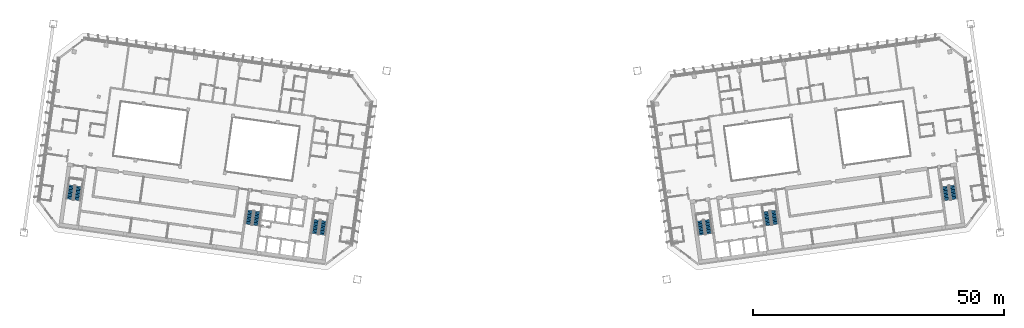
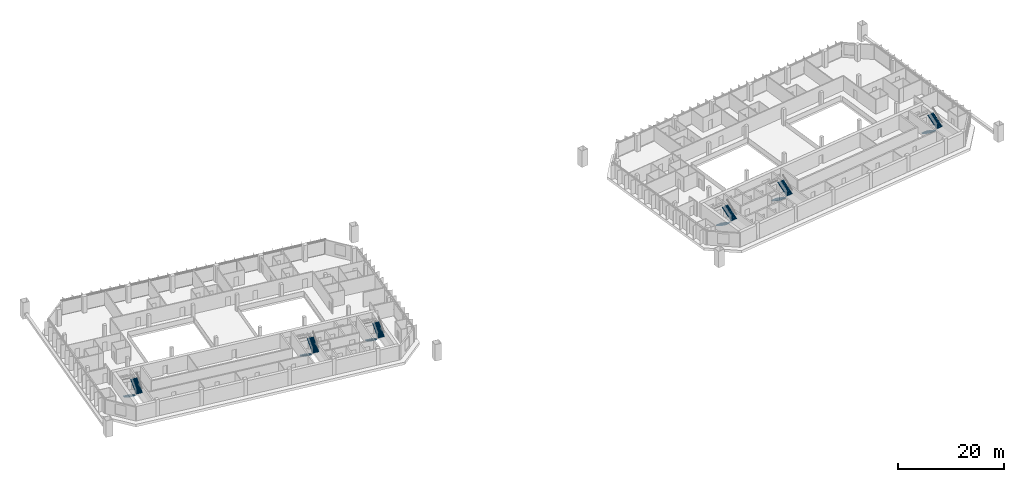
# One storey, part 25 of 31: 12 stair flights, 6 elements without a shape of their own.
"""IFC4 building model written with IfcOpenShell, lengths in metres."""

from ifc_helpers import new_model, si_unit, direction, frame, origin, place, context, subcontext, project, spatial, polyline, outline, extrude, material, type_object, element, aggregate, save


model = new_model("IFC4")

# Units and contexts
model_context = context("Model", 3, precision=1e-05, world=origin(), true_north=direction((0.0, 1.0)))
body_context = subcontext(model_context, "Body", "Model", "MODEL_VIEW")
ifc_project = project(units=[si_unit("LENGTHUNIT", "METRE"), si_unit("AREAUNIT", "SQUARE_METRE"), si_unit("VOLUMEUNIT", "CUBIC_METRE"), si_unit("PLANEANGLEUNIT", "RADIAN"), si_unit("MASSUNIT", "GRAM", prefix="KILO")], contexts=[model_context])

# Site, building, storey
site_placement = place(None, origin())
site = spatial("IfcSite", under=ifc_project, at=site_placement, CompositionType="ELEMENT")
building_placement = place(site_placement, origin())
building = spatial("IfcBuilding", under=site, at=building_placement, Name="Mirante Cascada Hotel Towers", CompositionType="ELEMENT")
storey_placement = place(building_placement, frame((0.0, 0.0, 157.4)))
storey = spatial("IfcBuildingStorey", under=building, at=storey_placement, Name="L36", CompositionType="ELEMENT", Elevation=157.4)

# Stair, stair flights
ifc_material_1 = material(Name="Concrete C35/45", Category="concrete")
stair_type = type_object("IfcStairType", Name="Exit stair half-turn 1350 concrete C35/45", PredefinedType="HALF_TURN_STAIR", material=ifc_material_1)
stair_1_placement = place(storey_placement, origin())
stair_1 = element("IfcStair", 1, at=stair_1_placement, inside=storey, type_object=stair_type, Name="L36 Exit stair A", PredefinedType="HALF_TURN_STAIR")
ifc_material_2 = material(Name="Concrete C35/45", Category="concrete")
stair_flight_type = type_object("IfcStairFlightType", Name="Exit stair flight 1350 concrete C35/45", PredefinedType="STRAIGHT", material=ifc_material_2)
stair_flight_1_placement = place(storey_placement, frame((-38.9417, -11.195, 0.0), z_axis=(0.0, 0.0, 1.0), x_axis=(-0.1391731, -0.9902681, 0.0)))
stair_flight_1 = element("IfcStairFlight", 2, at=stair_flight_1_placement, type_object=stair_flight_type, Name="ST1-A flight 1", NumberOfRisers=11, NumberOfTreads=10, PredefinedType="STRAIGHT", RiserHeight=0.172727273, TreadLength=0.28, context=body_context, shape_type="SweptSolid", body=[
    extrude(outline(polyline([(0.0, 0.0), (0.0, 0.1727), (0.28, 0.1727), (0.28, 0.3455), (0.56, 0.3455), (0.56, 0.5182), (0.84, 0.5182), (0.84, 0.6909), (1.12, 0.6909), (1.12, 0.8636), (1.4, 0.8636), (1.4, 1.0364), (1.68, 1.0364), (1.68, 1.2091), (1.96, 1.2091), (1.96, 1.3818), (2.24, 1.3818), (2.24, 1.5545), (2.52, 1.5545), (2.52, 1.7273), (2.8, 1.7273), (2.8, 1.9), (2.8, 1.551), (0.2857, 0.0), (0.0, 0.0)])), frame((0.0, 0.675, 0.0), z_axis=(0.0, -1.0, 0.0), x_axis=(1.0, 0.0, 0.0)), (0.0, 0.0, 1.0), 1.35),
])
stair_flight_2_placement = place(storey_placement, frame((-37.846, -14.1765, 1.9), z_axis=(0.0, 0.0, 1.0), x_axis=(0.1391731, 0.9902681, 0.0)))
stair_flight_2 = element("IfcStairFlight", 3, at=stair_flight_2_placement, type_object=stair_flight_type, Name="ST1-A flight 2", NumberOfRisers=11, NumberOfTreads=10, PredefinedType="STRAIGHT", RiserHeight=0.172727273, TreadLength=0.28, context=body_context, shape_type="SweptSolid", body=[
    extrude(outline(polyline([(0.0, 0.0), (0.0, 0.1727), (0.28, 0.1727), (0.28, 0.3455), (0.56, 0.3455), (0.56, 0.5182), (0.84, 0.5182), (0.84, 0.6909), (1.12, 0.6909), (1.12, 0.8636), (1.4, 0.8636), (1.4, 1.0364), (1.68, 1.0364), (1.68, 1.2091), (1.96, 1.2091), (1.96, 1.3818), (2.24, 1.3818), (2.24, 1.5545), (2.52, 1.5545), (2.52, 1.7273), (2.8, 1.7273), (2.8, 1.9), (2.8, 1.551), (0.2857, 0.0), (0.0, 0.0)])), frame((0.0, 0.675, 0.0), z_axis=(0.0, -1.0, 0.0), x_axis=(1.0, 0.0, 0.0)), (0.0, 0.0, 1.0), 1.35),
])
aggregate(stair_1, [stair_flight_1, stair_flight_2])

stair_2_placement = place(storey_placement, origin())
stair_2 = element("IfcStair", 4, at=stair_2_placement, inside=storey, type_object=stair_type, Name="L36 Exit stair B", PredefinedType="HALF_TURN_STAIR")
stair_flight_3_placement = place(storey_placement, frame((-52.1618, -9.3371, 0.0), z_axis=(0.0, 0.0, 1.0), x_axis=(-0.1391731, -0.9902681, 0.0)))
stair_flight_3 = element("IfcStairFlight", 5, at=stair_flight_3_placement, type_object=stair_flight_type, Name="ST1-B flight 1", NumberOfRisers=11, NumberOfTreads=10, PredefinedType="STRAIGHT", RiserHeight=0.172727273, TreadLength=0.28, context=body_context, shape_type="SweptSolid", body=[
    extrude(outline(polyline([(0.0, 0.0), (0.0, 0.1727), (0.28, 0.1727), (0.28, 0.3455), (0.56, 0.3455), (0.56, 0.5182), (0.84, 0.5182), (0.84, 0.6909), (1.12, 0.6909), (1.12, 0.8636), (1.4, 0.8636), (1.4, 1.0364), (1.68, 1.0364), (1.68, 1.2091), (1.96, 1.2091), (1.96, 1.3818), (2.24, 1.3818), (2.24, 1.5545), (2.52, 1.5545), (2.52, 1.7273), (2.8, 1.7273), (2.8, 1.9), (2.8, 1.551), (0.2857, 0.0), (0.0, 0.0)])), frame((0.0, 0.675, 0.0), z_axis=(0.0, -1.0, 0.0), x_axis=(1.0, 0.0, 0.0)), (0.0, 0.0, 1.0), 1.35),
])
stair_flight_4_placement = place(storey_placement, frame((-51.0661, -12.3186, 1.9), z_axis=(0.0, 0.0, 1.0), x_axis=(0.1391731, 0.9902681, 0.0)))
stair_flight_4 = element("IfcStairFlight", 6, at=stair_flight_4_placement, type_object=stair_flight_type, Name="ST1-B flight 2", NumberOfRisers=11, NumberOfTreads=10, PredefinedType="STRAIGHT", RiserHeight=0.172727273, TreadLength=0.28, context=body_context, shape_type="SweptSolid", body=[
    extrude(outline(polyline([(0.0, 0.0), (0.0, 0.1727), (0.28, 0.1727), (0.28, 0.3455), (0.56, 0.3455), (0.56, 0.5182), (0.84, 0.5182), (0.84, 0.6909), (1.12, 0.6909), (1.12, 0.8636), (1.4, 0.8636), (1.4, 1.0364), (1.68, 1.0364), (1.68, 1.2091), (1.96, 1.2091), (1.96, 1.3818), (2.24, 1.3818), (2.24, 1.5545), (2.52, 1.5545), (2.52, 1.7273), (2.8, 1.7273), (2.8, 1.9), (2.8, 1.551), (0.2857, 0.0), (0.0, 0.0)])), frame((0.0, 0.675, 0.0), z_axis=(0.0, -1.0, 0.0), x_axis=(1.0, 0.0, 0.0)), (0.0, 0.0, 1.0), 1.35),
])
aggregate(stair_2, [stair_flight_3, stair_flight_4])

stair_3_placement = place(storey_placement, origin())
stair_3 = element("IfcStair", 7, at=stair_3_placement, inside=storey, type_object=stair_type, Name="L36 Exit stair C", PredefinedType="HALF_TURN_STAIR")
stair_flight_5_placement = place(storey_placement, frame((-87.8115, -4.3268, 0.0), z_axis=(0.0, 0.0, 1.0), x_axis=(-0.1391731, -0.9902681, 0.0)))
stair_flight_5 = element("IfcStairFlight", 8, at=stair_flight_5_placement, type_object=stair_flight_type, Name="ST1-C flight 1", NumberOfRisers=11, NumberOfTreads=10, PredefinedType="STRAIGHT", RiserHeight=0.172727273, TreadLength=0.28, context=body_context, shape_type="SweptSolid", body=[
    extrude(outline(polyline([(0.0, 0.0), (0.0, 0.1727), (0.28, 0.1727), (0.28, 0.3455), (0.56, 0.3455), (0.56, 0.5182), (0.84, 0.5182), (0.84, 0.6909), (1.12, 0.6909), (1.12, 0.8636), (1.4, 0.8636), (1.4, 1.0364), (1.68, 1.0364), (1.68, 1.2091), (1.96, 1.2091), (1.96, 1.3818), (2.24, 1.3818), (2.24, 1.5545), (2.52, 1.5545), (2.52, 1.7273), (2.8, 1.7273), (2.8, 1.9), (2.8, 1.551), (0.2857, 0.0), (0.0, 0.0)])), frame((0.0, 0.675, 0.0), z_axis=(0.0, -1.0, 0.0), x_axis=(1.0, 0.0, 0.0)), (0.0, 0.0, 1.0), 1.35),
])
stair_flight_6_placement = place(storey_placement, frame((-86.7157, -7.3084, 1.9), z_axis=(0.0, 0.0, 1.0), x_axis=(0.1391731, 0.9902681, 0.0)))
stair_flight_6 = element("IfcStairFlight", 9, at=stair_flight_6_placement, type_object=stair_flight_type, Name="ST1-C flight 2", NumberOfRisers=11, NumberOfTreads=10, PredefinedType="STRAIGHT", RiserHeight=0.172727273, TreadLength=0.28, context=body_context, shape_type="SweptSolid", body=[
    extrude(outline(polyline([(0.0, 0.0), (0.0, 0.1727), (0.28, 0.1727), (0.28, 0.3455), (0.56, 0.3455), (0.56, 0.5182), (0.84, 0.5182), (0.84, 0.6909), (1.12, 0.6909), (1.12, 0.8636), (1.4, 0.8636), (1.4, 1.0364), (1.68, 1.0364), (1.68, 1.2091), (1.96, 1.2091), (1.96, 1.3818), (2.24, 1.3818), (2.24, 1.5545), (2.52, 1.5545), (2.52, 1.7273), (2.8, 1.7273), (2.8, 1.9), (2.8, 1.551), (0.2857, 0.0), (0.0, 0.0)])), frame((0.0, 0.675, 0.0), z_axis=(0.0, -1.0, 0.0), x_axis=(1.0, 0.0, 0.0)), (0.0, 0.0, 1.0), 1.35),
])
aggregate(stair_3, [stair_flight_5, stair_flight_6])

stair_4_placement = place(storey_placement, origin())
stair_4 = element("IfcStair", 10, at=stair_4_placement, inside=storey, type_object=stair_type, Name="L36 Exit stair A", PredefinedType="HALF_TURN_STAIR")
stair_flight_7_placement = place(storey_placement, frame((37.4563, -11.4038, 0.0), z_axis=(0.0, 0.0, 1.0), x_axis=(0.1391731, -0.9902681, 0.0)))
stair_flight_7 = element("IfcStairFlight", 11, at=stair_flight_7_placement, type_object=stair_flight_type, Name="ST2-A flight 1", NumberOfRisers=11, NumberOfTreads=10, PredefinedType="STRAIGHT", RiserHeight=0.172727273, TreadLength=0.28, context=body_context, shape_type="SweptSolid", body=[
    extrude(outline(polyline([(0.0, 0.0), (0.0, 0.1727), (0.28, 0.1727), (0.28, 0.3455), (0.56, 0.3455), (0.56, 0.5182), (0.84, 0.5182), (0.84, 0.6909), (1.12, 0.6909), (1.12, 0.8636), (1.4, 0.8636), (1.4, 1.0364), (1.68, 1.0364), (1.68, 1.2091), (1.96, 1.2091), (1.96, 1.3818), (2.24, 1.3818), (2.24, 1.5545), (2.52, 1.5545), (2.52, 1.7273), (2.8, 1.7273), (2.8, 1.9), (2.8, 1.551), (0.2857, 0.0), (0.0, 0.0)])), frame((0.0, 0.675, 0.0), z_axis=(0.0, -1.0, 0.0), x_axis=(1.0, 0.0, 0.0)), (0.0, 0.0, 1.0), 1.35),
])
stair_flight_8_placement = place(storey_placement, frame((39.3314, -13.9678, 1.9), z_axis=(0.0, 0.0, 1.0), x_axis=(-0.1391731, 0.9902681, 0.0)))
stair_flight_8 = element("IfcStairFlight", 12, at=stair_flight_8_placement, type_object=stair_flight_type, Name="ST2-A flight 2", NumberOfRisers=11, NumberOfTreads=10, PredefinedType="STRAIGHT", RiserHeight=0.172727273, TreadLength=0.28, context=body_context, shape_type="SweptSolid", body=[
    extrude(outline(polyline([(0.0, 0.0), (0.0, 0.1727), (0.28, 0.1727), (0.28, 0.3455), (0.56, 0.3455), (0.56, 0.5182), (0.84, 0.5182), (0.84, 0.6909), (1.12, 0.6909), (1.12, 0.8636), (1.4, 0.8636), (1.4, 1.0364), (1.68, 1.0364), (1.68, 1.2091), (1.96, 1.2091), (1.96, 1.3818), (2.24, 1.3818), (2.24, 1.5545), (2.52, 1.5545), (2.52, 1.7273), (2.8, 1.7273), (2.8, 1.9), (2.8, 1.551), (0.2857, 0.0), (0.0, 0.0)])), frame((0.0, 0.675, 0.0), z_axis=(0.0, -1.0, 0.0), x_axis=(1.0, 0.0, 0.0)), (0.0, 0.0, 1.0), 1.35),
])
aggregate(stair_4, [stair_flight_7, stair_flight_8])

stair_5_placement = place(storey_placement, origin())
stair_5 = element("IfcStair", 13, at=stair_5_placement, inside=storey, type_object=stair_type, Name="L36 Exit stair B", PredefinedType="HALF_TURN_STAIR")
stair_flight_9_placement = place(storey_placement, frame((50.6764, -9.5458, 0.0), z_axis=(0.0, 0.0, 1.0), x_axis=(0.1391731, -0.9902681, 0.0)))
stair_flight_9 = element("IfcStairFlight", 14, at=stair_flight_9_placement, type_object=stair_flight_type, Name="ST2-B flight 1", NumberOfRisers=11, NumberOfTreads=10, PredefinedType="STRAIGHT", RiserHeight=0.172727273, TreadLength=0.28, context=body_context, shape_type="SweptSolid", body=[
    extrude(outline(polyline([(0.0, 0.0), (0.0, 0.1727), (0.28, 0.1727), (0.28, 0.3455), (0.56, 0.3455), (0.56, 0.5182), (0.84, 0.5182), (0.84, 0.6909), (1.12, 0.6909), (1.12, 0.8636), (1.4, 0.8636), (1.4, 1.0364), (1.68, 1.0364), (1.68, 1.2091), (1.96, 1.2091), (1.96, 1.3818), (2.24, 1.3818), (2.24, 1.5545), (2.52, 1.5545), (2.52, 1.7273), (2.8, 1.7273), (2.8, 1.9), (2.8, 1.551), (0.2857, 0.0), (0.0, 0.0)])), frame((0.0, 0.675, 0.0), z_axis=(0.0, -1.0, 0.0), x_axis=(1.0, 0.0, 0.0)), (0.0, 0.0, 1.0), 1.35),
])
stair_flight_10_placement = place(storey_placement, frame((52.5515, -12.1098, 1.9), z_axis=(0.0, 0.0, 1.0), x_axis=(-0.1391731, 0.9902681, 0.0)))
stair_flight_10 = element("IfcStairFlight", 15, at=stair_flight_10_placement, type_object=stair_flight_type, Name="ST2-B flight 2", NumberOfRisers=11, NumberOfTreads=10, PredefinedType="STRAIGHT", RiserHeight=0.172727273, TreadLength=0.28, context=body_context, shape_type="SweptSolid", body=[
    extrude(outline(polyline([(0.0, 0.0), (0.0, 0.1727), (0.28, 0.1727), (0.28, 0.3455), (0.56, 0.3455), (0.56, 0.5182), (0.84, 0.5182), (0.84, 0.6909), (1.12, 0.6909), (1.12, 0.8636), (1.4, 0.8636), (1.4, 1.0364), (1.68, 1.0364), (1.68, 1.2091), (1.96, 1.2091), (1.96, 1.3818), (2.24, 1.3818), (2.24, 1.5545), (2.52, 1.5545), (2.52, 1.7273), (2.8, 1.7273), (2.8, 1.9), (2.8, 1.551), (0.2857, 0.0), (0.0, 0.0)])), frame((0.0, 0.675, 0.0), z_axis=(0.0, -1.0, 0.0), x_axis=(1.0, 0.0, 0.0)), (0.0, 0.0, 1.0), 1.35),
])
aggregate(stair_5, [stair_flight_9, stair_flight_10])

stair_6_placement = place(storey_placement, origin())
stair_6 = element("IfcStair", 16, at=stair_6_placement, inside=storey, type_object=stair_type, Name="L36 Exit stair C", PredefinedType="HALF_TURN_STAIR")
stair_flight_11_placement = place(storey_placement, frame((86.326, -4.5356, 0.0), z_axis=(0.0, 0.0, 1.0), x_axis=(0.1391731, -0.9902681, 0.0)))
stair_flight_11 = element("IfcStairFlight", 17, at=stair_flight_11_placement, type_object=stair_flight_type, Name="ST2-C flight 1", NumberOfRisers=11, NumberOfTreads=10, PredefinedType="STRAIGHT", RiserHeight=0.172727273, TreadLength=0.28, context=body_context, shape_type="SweptSolid", body=[
    extrude(outline(polyline([(0.0, 0.0), (0.0, 0.1727), (0.28, 0.1727), (0.28, 0.3455), (0.56, 0.3455), (0.56, 0.5182), (0.84, 0.5182), (0.84, 0.6909), (1.12, 0.6909), (1.12, 0.8636), (1.4, 0.8636), (1.4, 1.0364), (1.68, 1.0364), (1.68, 1.2091), (1.96, 1.2091), (1.96, 1.3818), (2.24, 1.3818), (2.24, 1.5545), (2.52, 1.5545), (2.52, 1.7273), (2.8, 1.7273), (2.8, 1.9), (2.8, 1.551), (0.2857, 0.0), (0.0, 0.0)])), frame((0.0, 0.675, 0.0), z_axis=(0.0, -1.0, 0.0), x_axis=(1.0, 0.0, 0.0)), (0.0, 0.0, 1.0), 1.35),
])
stair_flight_12_placement = place(storey_placement, frame((88.2011, -7.0996, 1.9), z_axis=(0.0, 0.0, 1.0), x_axis=(-0.1391731, 0.9902681, 0.0)))
stair_flight_12 = element("IfcStairFlight", 18, at=stair_flight_12_placement, type_object=stair_flight_type, Name="ST2-C flight 2", NumberOfRisers=11, NumberOfTreads=10, PredefinedType="STRAIGHT", RiserHeight=0.172727273, TreadLength=0.28, context=body_context, shape_type="SweptSolid", body=[
    extrude(outline(polyline([(0.0, 0.0), (0.0, 0.1727), (0.28, 0.1727), (0.28, 0.3455), (0.56, 0.3455), (0.56, 0.5182), (0.84, 0.5182), (0.84, 0.6909), (1.12, 0.6909), (1.12, 0.8636), (1.4, 0.8636), (1.4, 1.0364), (1.68, 1.0364), (1.68, 1.2091), (1.96, 1.2091), (1.96, 1.3818), (2.24, 1.3818), (2.24, 1.5545), (2.52, 1.5545), (2.52, 1.7273), (2.8, 1.7273), (2.8, 1.9), (2.8, 1.551), (0.2857, 0.0), (0.0, 0.0)])), frame((0.0, 0.675, 0.0), z_axis=(0.0, -1.0, 0.0), x_axis=(1.0, 0.0, 0.0)), (0.0, 0.0, 1.0), 1.35),
])
aggregate(stair_6, [stair_flight_11, stair_flight_12])

save(model, "model.ifc")
